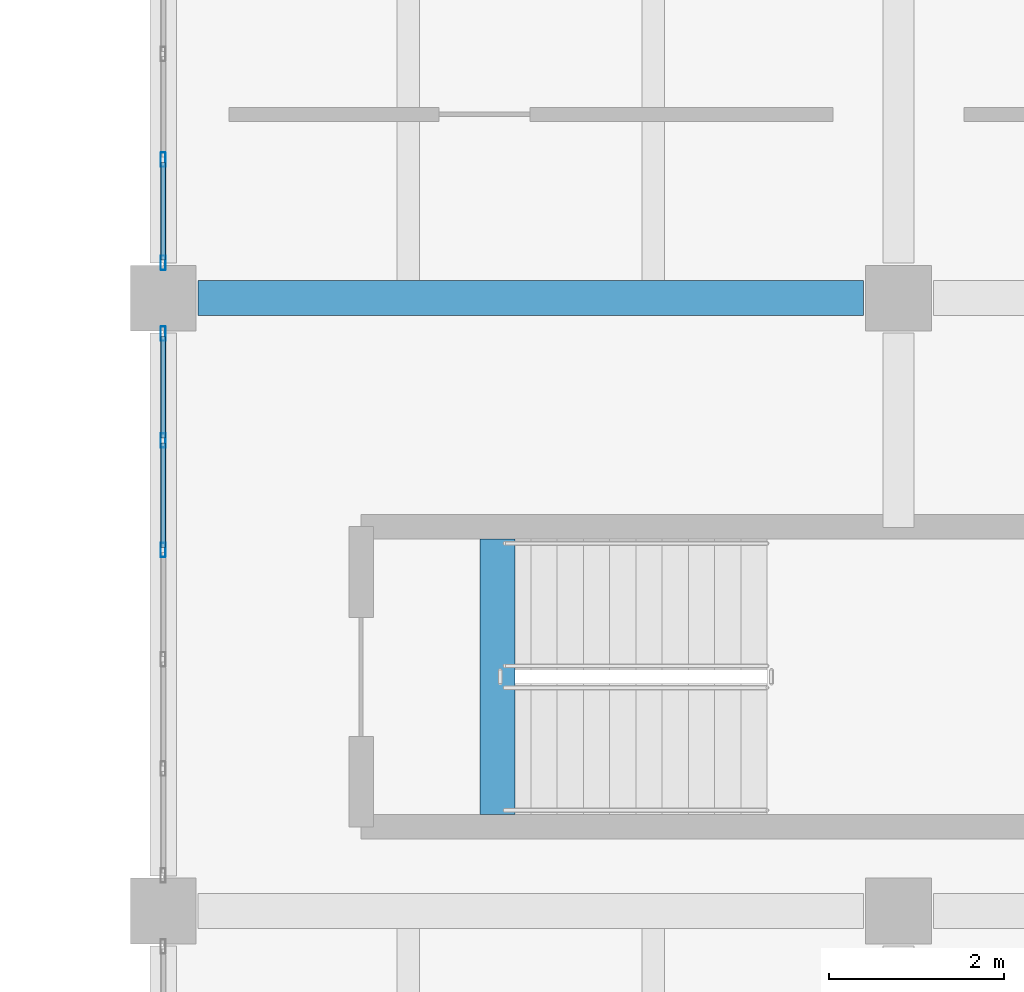
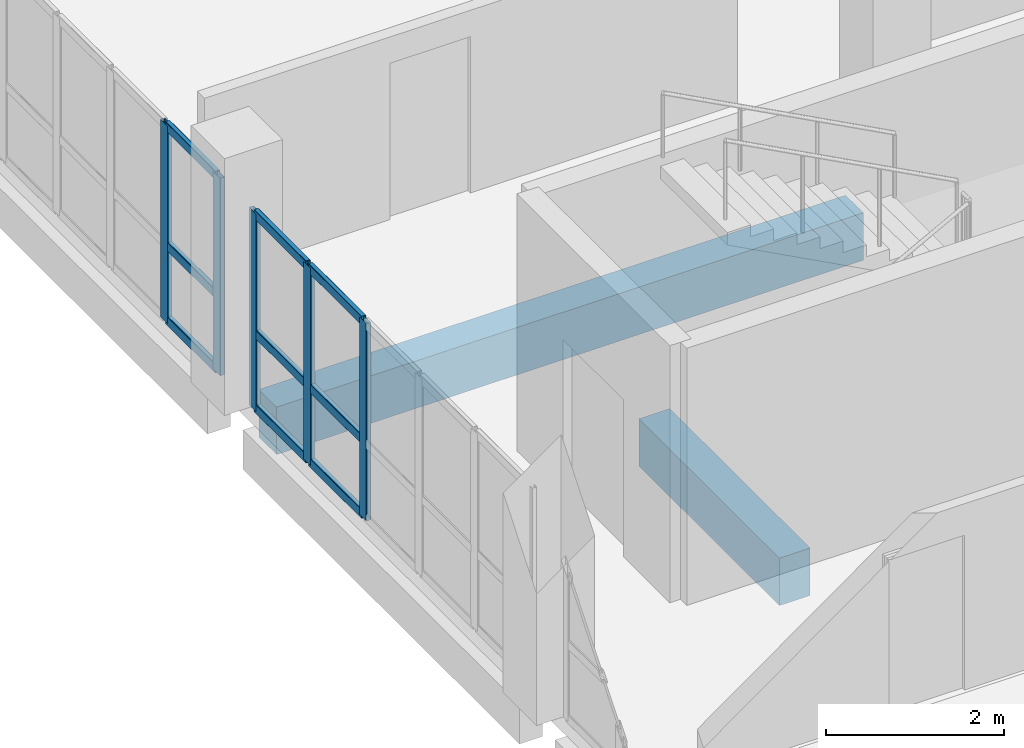
# One storey, part 6 of 95: 14 members, 2 beams, 2 elements without a shape of their own.
"""IFC4 building model written with IfcOpenShell, lengths in metres."""

from ifc_helpers import new_model, si_unit, direction, frame, origin, origin_2d, place, context, subcontext, project, spatial, rectangle, hollow_rectangle, extrude, material, layer, layer_set, material_profile, profile_set, type_object, element, aggregate, save


model = new_model("IFC4")

# Units and contexts
model_context = context("Model", 3, precision=1e-05, world=origin(), true_north=direction((0.0, 1.0)))
body_context = subcontext(model_context, "Body", "Model", "MODEL_VIEW")
ifc_project = project(units=[si_unit("LENGTHUNIT", "METRE"), si_unit("AREAUNIT", "SQUARE_METRE"), si_unit("VOLUMEUNIT", "CUBIC_METRE"), si_unit("PLANEANGLEUNIT", "RADIAN"), si_unit("MASSUNIT", "GRAM", prefix="KILO"), si_unit("THERMODYNAMICTEMPERATUREUNIT", "KELVIN"), si_unit("POWERUNIT", "WATT")], contexts=[model_context])

# Site, building, storey
site_placement = place(None, origin())
site = spatial("IfcSite", under=ifc_project, at=site_placement, CompositionType="ELEMENT")
building_placement = place(site_placement, origin())
building = spatial("IfcBuilding", under=site, at=building_placement, Name="Mavoryth Pier Ferry Terminal", CompositionType="ELEMENT")
storey_placement = place(building_placement, frame((0.0, 0.0, 9.60009765625)))
storey = spatial("IfcBuildingStorey", under=building, at=storey_placement, Name="L02", CompositionType="ELEMENT", Elevation=9.60009765625)

# Beams
ifc_material_1 = material(Name="Concrete C35/45", Category="concrete")
ifc_material_profile_1 = material_profile(ifc_material_1, rectangle(XDim=0.39990234375, YDim=0.64990234375, at=origin_2d()), Name="RC 400x650", Category="concrete")
ifc_profile_set_1 = profile_set([ifc_material_profile_1], Name="Concrete C35/45 - RC 400x650")
beam_type = type_object("IfcBeamType", Name="Girder-RC-400x650", PredefinedType="BEAM", material=ifc_profile_set_1)
beam_1_placement = place(storey_placement, frame((42.39990234375, 14.0, -0.585205078125), z_axis=(1.0, 0.0, 0.0), x_axis=(0.0, 1.0, 0.0)))
element("IfcBeam", 1, at=beam_1_placement, inside=storey, type_object=beam_type, Name="Beam B02-BG05-0963", PredefinedType="BEAM", context=body_context, shape_type="SweptSolid", body=[
    extrude(rectangle(XDim=0.39990234375, YDim=0.64990234375, at=origin_2d()), origin(), (0.0, 0.0, 1.0), 7.60009765625),
])
beam_2_placement = place(storey_placement, frame((45.820068359375, 8.10009765625, -0.3251953125), z_axis=(0.0, 1.0, 0.0), x_axis=(-1.0, 0.0, 0.0)))
element("IfcBeam", 2, at=beam_2_placement, inside=storey, type_object=beam_type, Name="Beam B02-BG05-1585", PredefinedType="BEAM", context=body_context, shape_type="SweptSolid", body=[
    extrude(rectangle(XDim=0.39990234375, YDim=0.64990234375, at=origin_2d()), origin(), (0.0, 0.0, 1.0), 3.14990234375),
])

# Curtain wall, members
ifc_material_2 = material(Name="Anodised Aluminium and Solar-Control Low-E Glass", Category="aluminium")
ifc_layer = layer(ifc_material_2, 0.239990234375, Name="Anodised Aluminium and Solar-Control Low-E Glass", Category="aluminium")
ifc_layer_set = layer_set([ifc_layer], Name="Anodised Aluminium and Solar-Control Low-E Glass - CW-Operations-Mod1200")
curtain_wall_type = type_object("IfcCurtainWallType", Name="CW-Operations-Mod1200", PredefinedType="USERDEFINED", material=ifc_layer_set)
curtain_wall_1_placement = place(storey_placement, origin())
curtain_wall_1 = element("IfcCurtainWall", 3, at=curtain_wall_1_placement, inside=storey, type_object=curtain_wall_type, Name="Curtain Wall CW-0222-134", ObjectType="UNITISED CURTAIN WALL", PredefinedType="USERDEFINED")
ifc_material_3 = material(Name="Anodised Aluminium EN AW-6063", Category="aluminium")
ifc_material_profile_2 = material_profile(ifc_material_3, hollow_rectangle(XDim=0.06005859375, YDim=0.1650390625, WallThickness=0.00390625, InnerFilletRadius=0.00390625, OuterFilletRadius=0.008056640625, at=origin_2d()), Name="AL-MULL 165x60x4", Category="aluminium")
ifc_profile_set_2 = profile_set([ifc_material_profile_2], Name="Anodised Aluminium EN AW-6063 - AL-MULL 165x60x4")
member_type_1 = type_object("IfcMemberType", Name="Mullion-Alum-165x60", PredefinedType="MULLION", material=ifc_profile_set_2)
member_1_placement = place(storey_placement, frame((42.0, 13.594970703125, 0.0), z_axis=(0.0, 0.0, 1.0), x_axis=(1.0, 0.0, 0.0)))
member_1 = element("IfcMember", 4, at=member_1_placement, type_object=member_type_1, Name="CW06 mullion 1", PredefinedType="MULLION", context=body_context, shape_type="SweptSolid", body=[
    extrude(hollow_rectangle(XDim=0.06005859375, YDim=0.1650390625, WallThickness=0.00390625, InnerFilletRadius=0.00390625, OuterFilletRadius=0.008056640625, at=origin_2d()), origin(), (0.0, 0.0, 1.0), 2.704833984375),
])
member_2_placement = place(storey_placement, frame((42.0, 12.375, 0.0), z_axis=(0.0, 0.0, 1.0), x_axis=(1.0, 0.0, 0.0)))
member_2 = element("IfcMember", 5, at=member_2_placement, type_object=member_type_1, Name="CW06 mullion 2", PredefinedType="MULLION", context=body_context, shape_type="SweptSolid", body=[
    extrude(hollow_rectangle(XDim=0.06005859375, YDim=0.1650390625, WallThickness=0.00390625, InnerFilletRadius=0.00390625, OuterFilletRadius=0.008056640625, at=origin_2d()), origin(), (0.0, 0.0, 1.0), 2.704833984375),
])
member_3_placement = place(storey_placement, frame((42.0, 11.125, 0.0), z_axis=(0.0, 0.0, 1.0), x_axis=(1.0, 0.0, 0.0)))
member_3 = element("IfcMember", 6, at=member_3_placement, type_object=member_type_1, Name="CW06 mullion 3", PredefinedType="MULLION", context=body_context, shape_type="SweptSolid", body=[
    extrude(hollow_rectangle(XDim=0.06005859375, YDim=0.1650390625, WallThickness=0.00390625, InnerFilletRadius=0.00390625, OuterFilletRadius=0.008056640625, at=origin_2d()), origin(), (0.0, 0.0, 1.0), 2.704833984375),
])

curtain_wall_2_placement = place(storey_placement, origin())
curtain_wall_2 = element("IfcCurtainWall", 7, at=curtain_wall_2_placement, inside=storey, type_object=curtain_wall_type, Name="Curtain Wall CW-0222-135", ObjectType="UNITISED CURTAIN WALL", PredefinedType="USERDEFINED")
member_4_placement = place(storey_placement, frame((42.0, 15.583251953125, 0.0), z_axis=(0.0, 0.0, 1.0), x_axis=(1.0, 0.0, 0.0)))
member_4 = element("IfcMember", 8, at=member_4_placement, type_object=member_type_1, Name="CW06 mullion 6", PredefinedType="MULLION", context=body_context, shape_type="SweptSolid", body=[
    extrude(hollow_rectangle(XDim=0.06005859375, YDim=0.1650390625, WallThickness=0.00390625, InnerFilletRadius=0.00390625, OuterFilletRadius=0.008056640625, at=origin_2d()), origin(), (0.0, 0.0, 1.0), 2.704833984375),
])
member_5_placement = place(storey_placement, frame((42.0, 14.405029296875, 0.0), z_axis=(0.0, 0.0, 1.0), x_axis=(1.0, 0.0, 0.0)))
member_5 = element("IfcMember", 9, at=member_5_placement, type_object=member_type_1, Name="CW06 mullion 7", PredefinedType="MULLION", context=body_context, shape_type="SweptSolid", body=[
    extrude(hollow_rectangle(XDim=0.06005859375, YDim=0.1650390625, WallThickness=0.00390625, InnerFilletRadius=0.00390625, OuterFilletRadius=0.008056640625, at=origin_2d()), origin(), (0.0, 0.0, 1.0), 2.704833984375),
])

# Member
ifc_material_profile_3 = material_profile(ifc_material_3, hollow_rectangle(XDim=0.06005859375, YDim=0.125, WallThickness=0.00390625, InnerFilletRadius=0.00390625, OuterFilletRadius=0.008056640625, at=origin_2d()), Name="AL-TRAN 125x60x4", Category="aluminium")
ifc_profile_set_3 = profile_set([ifc_material_profile_3], Name="Anodised Aluminium EN AW-6063 - AL-TRAN 125x60x4")
member_type_2 = type_object("IfcMemberType", Name="Transom-Alum-125x60", PredefinedType="USERDEFINED", material=ifc_profile_set_3)
member_6_placement = place(storey_placement, frame((42.0, 13.56494140625, 0.02978515625), z_axis=(0.0, -1.0, 0.0), x_axis=(1.0, 0.0, 0.0)))
member_6 = element("IfcMember", 10, at=member_6_placement, type_object=member_type_2, Name="CW06 transom 1.1", ObjectType="TRANSOM", PredefinedType="USERDEFINED", context=body_context, shape_type="SweptSolid", body=[
    extrude(hollow_rectangle(XDim=0.06005859375, YDim=0.125, WallThickness=0.00390625, InnerFilletRadius=0.00390625, OuterFilletRadius=0.008056640625, at=origin_2d()), origin(), (0.0, 0.0, 1.0), 1.159912109375),
])

member_7_placement = place(storey_placement, frame((42.0, 13.56494140625, 1.0498046875), z_axis=(0.0, -1.0, 0.0), x_axis=(1.0, 0.0, 0.0)))
member_7 = element("IfcMember", 11, at=member_7_placement, type_object=member_type_2, Name="CW06 transom 1.2", ObjectType="TRANSOM", PredefinedType="USERDEFINED", context=body_context, shape_type="SweptSolid", body=[
    extrude(hollow_rectangle(XDim=0.06005859375, YDim=0.125, WallThickness=0.00390625, InnerFilletRadius=0.00390625, OuterFilletRadius=0.008056640625, at=origin_2d()), origin(), (0.0, 0.0, 1.0), 1.159912109375),
])

member_8_placement = place(storey_placement, frame((42.0, 13.56494140625, 2.6748046875), z_axis=(0.0, -1.0, 0.0), x_axis=(1.0, 0.0, 0.0)))
member_8 = element("IfcMember", 12, at=member_8_placement, type_object=member_type_2, Name="CW06 transom 1.3", ObjectType="TRANSOM", PredefinedType="USERDEFINED", context=body_context, shape_type="SweptSolid", body=[
    extrude(hollow_rectangle(XDim=0.06005859375, YDim=0.125, WallThickness=0.00390625, InnerFilletRadius=0.00390625, OuterFilletRadius=0.008056640625, at=origin_2d()), origin(), (0.0, 0.0, 1.0), 1.159912109375),
])

member_9_placement = place(storey_placement, frame((42.0, 12.344970703125, 0.02978515625), z_axis=(0.0, -1.0, 0.0), x_axis=(1.0, 0.0, 0.0)))
member_9 = element("IfcMember", 13, at=member_9_placement, type_object=member_type_2, Name="CW06 transom 2.1", ObjectType="TRANSOM", PredefinedType="USERDEFINED", context=body_context, shape_type="SweptSolid", body=[
    extrude(hollow_rectangle(XDim=0.06005859375, YDim=0.125, WallThickness=0.00390625, InnerFilletRadius=0.00390625, OuterFilletRadius=0.008056640625, at=origin_2d()), origin(), (0.0, 0.0, 1.0), 1.18994140625),
])

member_10_placement = place(storey_placement, frame((42.0, 12.344970703125, 1.0498046875), z_axis=(0.0, -1.0, 0.0), x_axis=(1.0, 0.0, 0.0)))
member_10 = element("IfcMember", 14, at=member_10_placement, type_object=member_type_2, Name="CW06 transom 2.2", ObjectType="TRANSOM", PredefinedType="USERDEFINED", context=body_context, shape_type="SweptSolid", body=[
    extrude(hollow_rectangle(XDim=0.06005859375, YDim=0.125, WallThickness=0.00390625, InnerFilletRadius=0.00390625, OuterFilletRadius=0.008056640625, at=origin_2d()), origin(), (0.0, 0.0, 1.0), 1.18994140625),
])

member_11_placement = place(storey_placement, frame((42.0, 12.344970703125, 2.6748046875), z_axis=(0.0, -1.0, 0.0), x_axis=(1.0, 0.0, 0.0)))
member_11 = element("IfcMember", 15, at=member_11_placement, type_object=member_type_2, Name="CW06 transom 2.3", ObjectType="TRANSOM", PredefinedType="USERDEFINED", context=body_context, shape_type="SweptSolid", body=[
    extrude(hollow_rectangle(XDim=0.06005859375, YDim=0.125, WallThickness=0.00390625, InnerFilletRadius=0.00390625, OuterFilletRadius=0.008056640625, at=origin_2d()), origin(), (0.0, 0.0, 1.0), 1.18994140625),
])

aggregate(curtain_wall_1, [member_1, member_2, member_3, member_6, member_7, member_8, member_9, member_10, member_11])

member_12_placement = place(storey_placement, frame((42.0, 15.55322265625, 0.02978515625), z_axis=(0.0, -1.0, 0.0), x_axis=(1.0, 0.0, 0.0)))
member_12 = element("IfcMember", 16, at=member_12_placement, type_object=member_type_2, Name="CW06 transom 6.1", ObjectType="TRANSOM", PredefinedType="USERDEFINED", context=body_context, shape_type="SweptSolid", body=[
    extrude(hollow_rectangle(XDim=0.06005859375, YDim=0.125, WallThickness=0.00390625, InnerFilletRadius=0.00390625, OuterFilletRadius=0.008056640625, at=origin_2d()), origin(), (0.0, 0.0, 1.0), 1.1181640625),
])

member_13_placement = place(storey_placement, frame((42.0, 15.55322265625, 1.0498046875), z_axis=(0.0, -1.0, 0.0), x_axis=(1.0, 0.0, 0.0)))
member_13 = element("IfcMember", 17, at=member_13_placement, type_object=member_type_2, Name="CW06 transom 6.2", ObjectType="TRANSOM", PredefinedType="USERDEFINED", context=body_context, shape_type="SweptSolid", body=[
    extrude(hollow_rectangle(XDim=0.06005859375, YDim=0.125, WallThickness=0.00390625, InnerFilletRadius=0.00390625, OuterFilletRadius=0.008056640625, at=origin_2d()), origin(), (0.0, 0.0, 1.0), 1.1181640625),
])

member_14_placement = place(storey_placement, frame((42.0, 15.55322265625, 2.6748046875), z_axis=(0.0, -1.0, 0.0), x_axis=(1.0, 0.0, 0.0)))
member_14 = element("IfcMember", 18, at=member_14_placement, type_object=member_type_2, Name="CW06 transom 6.3", ObjectType="TRANSOM", PredefinedType="USERDEFINED", context=body_context, shape_type="SweptSolid", body=[
    extrude(hollow_rectangle(XDim=0.06005859375, YDim=0.125, WallThickness=0.00390625, InnerFilletRadius=0.00390625, OuterFilletRadius=0.008056640625, at=origin_2d()), origin(), (0.0, 0.0, 1.0), 1.1181640625),
])

aggregate(curtain_wall_2, [member_4, member_5, member_12, member_13, member_14])

save(model, "model.ifc")
